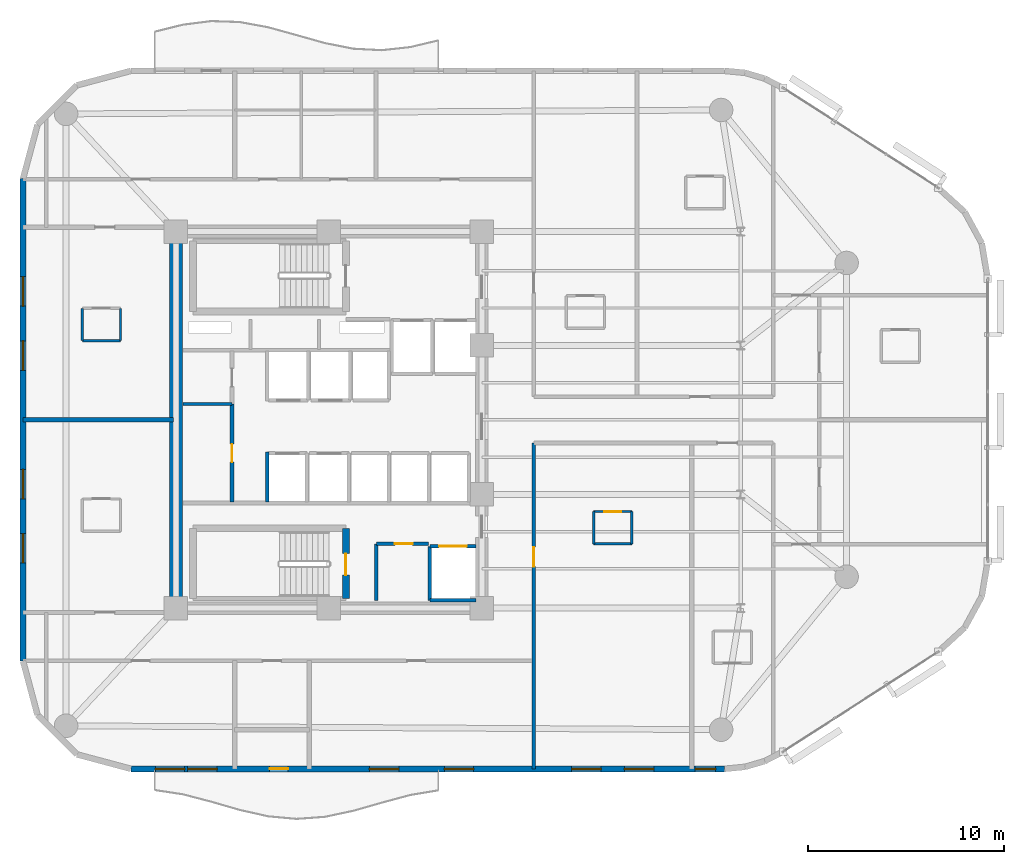
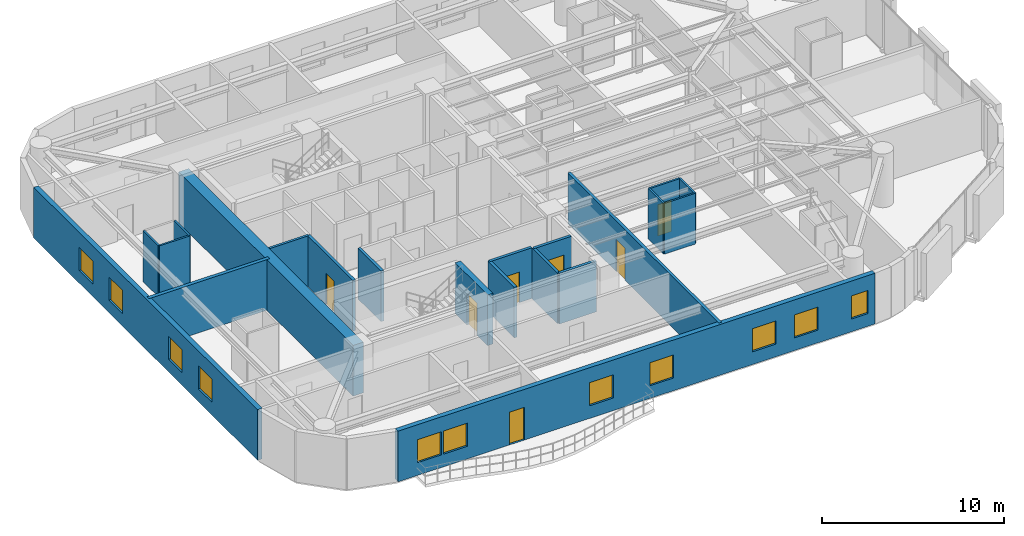
# One storey, part 10 of 15: 21 walls, 11 windows, 7 doors, 18 openings.
"""IFC4 building model written with IfcOpenShell, lengths in metres."""

from ifc_helpers import new_model, si_unit, direction, frame, frame_2d, origin, place, context, subcontext, project, spatial, rectangle, extrude, material, layer, layer_set, type_object, element, fill, save


model = new_model("IFC4")

# Units and contexts
model_context = context("Model", 3, precision=1e-05, world=origin(), true_north=direction((0.0, 1.0)))
body_context = subcontext(model_context, "Body", "Model", "MODEL_VIEW")
ifc_project = project(units=[si_unit("LENGTHUNIT", "METRE"), si_unit("AREAUNIT", "SQUARE_METRE"), si_unit("VOLUMEUNIT", "CUBIC_METRE"), si_unit("PLANEANGLEUNIT", "RADIAN"), si_unit("MASSUNIT", "GRAM", prefix="KILO")], contexts=[model_context])

# Site, building, storey
site_placement = place(None, origin())
site = spatial("IfcSite", under=ifc_project, at=site_placement, CompositionType="ELEMENT")
building_placement = place(site_placement, origin())
building = spatial("IfcBuilding", under=site, at=building_placement, Name="An Khanh Terracotta Commons", CompositionType="ELEMENT")
storey_placement = place(building_placement, frame((0.0, 0.0, 143.800048828125)))
storey = spatial("IfcBuildingStorey", under=building, at=storey_placement, Name="L37", CompositionType="ELEMENT", Elevation=143.800048828125)

# Wall
ifc_material_1 = material(Name="Concrete C60/75", Category="concrete")
ifc_layer_1 = layer(ifc_material_1, 0.64990234375, Name="Concrete C60/75")
ifc_layer_set_1 = layer_set([ifc_layer_1], Name="Concrete C60/75")
wall_type_1 = type_object("IfcWallType", Name="WALL-CORE-650", PredefinedType="SHEAR", material=ifc_layer_set_1)
wall_1_placement = place(storey_placement, frame((21.60009765625, 14.39990234375, 0.0), z_axis=(0.0, 0.0, 1.0), x_axis=(0.0, 1.0, 0.0)))
element("IfcWall", 1, at=wall_1_placement, inside=storey, type_object=wall_type_1, Name="L37 Core Wall CWALL-L37-W", PredefinedType="SHEAR", context=body_context, shape_type="SweptSolid", body=[
    extrude(rectangle(XDim=19.2001953125, YDim=0.64990234375, at=frame_2d((9.60009765625, 0.0))), origin(), (0.0, 0.0, 1.0), 3.39990234375),
])

# Wall, opening, door
ifc_material_2 = material(Name="Fire-Rated Gypsum Board on Steel Stud", Category="steel")
ifc_layer_2 = layer(ifc_material_2, 0.179931640625, Name="Fire-Rated Gypsum Board on Steel Stud")
ifc_layer_set_2 = layer_set([ifc_layer_2], Name="Fire-Rated Gypsum Board on Steel Stud")
wall_type_2 = type_object("IfcWallType", Name="WALL-CORR-180", PredefinedType="PARTITIONING", material=ifc_layer_set_2)
wall_2_placement = place(storey_placement, frame((31.820068359375, 17.679931640625, 0.0), z_axis=(0.0, 0.0, 1.0), x_axis=(1.0, 0.0, 0.0)))
wall_2 = element("IfcWall", 2, at=wall_2_placement, inside=storey, type_object=wall_type_2, Name="L37 Core Wall SSVCW-L37-N", PredefinedType="PARTITIONING", context=body_context, shape_type="SweptSolid", body=[
    extrude(rectangle(XDim=2.659912109375, YDim=0.179931640625, at=frame_2d((1.330078125, 0.0))), origin(), (0.0, 0.0, 1.0), 3.39990234375),
])
opening_1_placement = place(wall_2_placement, frame((0.949951171875, 0.0, 0.0)))
opening_1 = element("IfcOpeningElement", 3, at=opening_1_placement, cuts=wall_2, Name="Opening D-SV", PredefinedType="OPENING", context=body_context, shape_type="SweptSolid", body=[
    extrude(rectangle(XDim=0.89990234375, YDim=2.050048828125, at=frame_2d((0.449951171875, 1.02490234375))), frame((0.0, 0.099853515625, 0.0), z_axis=(0.0, -1.0, 0.0), x_axis=(1.0, 0.0, 0.0)), (0.0, 0.0, 1.0), 0.199951171875),
])
ifc_material_3 = material(Name="Fire-Rated Powder-Coated Steel Door", Category="steel")
door_type_1 = type_object("IfcDoorType", Name="DOOR-SERV-900", OperationType="NOTDEFINED", PredefinedType="DOOR", material=ifc_material_3)
door_1_placement = place(opening_1_placement, origin())
door_1 = element("IfcDoor", 4, at=door_1_placement, inside=storey, type_object=door_type_1, Name="L37 Core Housekeeping Store Door", OperationType="SINGLE_SWING_RIGHT", OverallHeight=2.050048828125, OverallWidth=0.89990234375, PredefinedType="DOOR", context=body_context, shape_type="SweptSolid", body=[
    extrude(rectangle(XDim=0.89990234375, YDim=2.050048828125, at=frame_2d((0.449951171875, 1.02490234375))), frame((0.0, 0.02490234375, 0.0), z_axis=(0.0, -1.0, 0.0), x_axis=(1.0, 0.0, 0.0)), (0.0, 0.0, 1.0), 0.050048828125),
])
fill(opening_1, door_1)

# Wall
wall_3_placement = place(storey_placement, frame((31.820068359375, 14.800048828125, 0.0), z_axis=(0.0, 0.0, 1.0), x_axis=(0.0, 1.0, 0.0)))
element("IfcWall", 5, at=wall_3_placement, inside=storey, type_object=wall_type_2, Name="L37 Core Wall SSVCW-L37-W", PredefinedType="PARTITIONING", context=body_context, shape_type="SweptSolid", body=[
    extrude(rectangle(XDim=2.8798828125, YDim=0.179931640625, at=frame_2d((1.43994140625, 0.0))), origin(), (0.0, 0.0, 1.0), 3.39990234375),
])

# Wall, opening, door
wall_4_placement = place(storey_placement, frame((34.550048828125, 17.550048828125, 0.0), z_axis=(0.0, 0.0, 1.0), x_axis=(1.0, 0.0, 0.0)))
wall_4 = element("IfcWall", 6, at=wall_4_placement, inside=storey, type_object=wall_type_2, Name="L37 Core Wall LSH-L37-SVL-01-N", PredefinedType="PARTITIONING", context=body_context, shape_type="SweptSolid", body=[
    extrude(rectangle(XDim=2.349853515625, YDim=0.179931640625, at=frame_2d((1.1748046875, 0.0))), origin(), (0.0, 0.0, 1.0), 3.39990234375),
])
opening_2_placement = place(wall_4_placement, frame((0.47509765625, 0.0, 0.0)))
opening_2 = element("IfcOpeningElement", 7, at=opening_2_placement, cuts=wall_4, Name="Opening LD-SVL-01-L37", PredefinedType="OPENING", context=body_context, shape_type="SweptSolid", body=[
    extrude(rectangle(XDim=1.39990234375, YDim=2.300048828125, at=frame_2d((0.699951171875, 1.14990234375))), frame((0.0, 0.099853515625, 0.0), z_axis=(0.0, -1.0, 0.0), x_axis=(1.0, 0.0, 0.0)), (0.0, 0.0, 1.0), 0.199951171875),
])
ifc_material_4 = material(Name="Heavy-Duty Stainless Steel Goods Landing Door", Category="steel")
door_type_2 = type_object("IfcDoorType", Name="DOOR-LD-SVL-1400", OperationType="NOTDEFINED", PredefinedType="DOOR", material=ifc_material_4)
door_2_placement = place(opening_2_placement, origin())
door_2 = element("IfcDoor", 8, at=door_2_placement, inside=storey, type_object=door_type_2, Name="L37 Lift SVL-01 Sliding Landing Door", OperationType="DOUBLE_DOOR_SLIDING", OverallHeight=2.300048828125, OverallWidth=1.39990234375, PredefinedType="DOOR", context=body_context, shape_type="SweptSolid", body=[
    extrude(rectangle(XDim=1.39990234375, YDim=2.300048828125, at=frame_2d((0.699951171875, 1.14990234375))), frame((0.0, 0.02490234375, 0.0), z_axis=(0.0, -1.0, 0.0), x_axis=(1.0, 0.0, 0.0)), (0.0, 0.0, 1.0), 0.050048828125),
])
fill(opening_2, door_2)

# Walls
wall_5_placement = place(storey_placement, frame((36.89990234375, 14.800048828125, 0.0), z_axis=(0.0, 0.0, 1.0), x_axis=(-1.0, 0.0, 0.0)))
element("IfcWall", 9, at=wall_5_placement, inside=storey, type_object=wall_type_2, Name="L37 Core Wall LSH-L37-SVL-01-S", PredefinedType="PARTITIONING", context=body_context, shape_type="SweptSolid", body=[
    extrude(rectangle(XDim=2.349853515625, YDim=0.179931640625, at=frame_2d((1.1748046875, 0.0))), origin(), (0.0, 0.0, 1.0), 3.39990234375),
])
wall_6_placement = place(storey_placement, frame((34.550048828125, 17.550048828125, 0.0), z_axis=(0.0, 0.0, 1.0), x_axis=(0.0, -1.0, 0.0)))
element("IfcWall", 10, at=wall_6_placement, inside=storey, type_object=wall_type_2, Name="L37 Core Wall LSH-L37-SVL-01-W", PredefinedType="PARTITIONING", context=body_context, shape_type="SweptSolid", body=[
    extrude(rectangle(XDim=2.75, YDim=0.179931640625, at=frame_2d((1.375, 0.0))), origin(), (0.0, 0.0, 1.0), 3.39990234375),
])

# Wall, opening, door
wall_7_placement = place(storey_placement, frame((24.4599609375, 19.800048828125, 0.0), z_axis=(0.0, 0.0, 1.0), x_axis=(0.0, 1.0, 0.0)))
wall_7 = element("IfcWall", 11, at=wall_7_placement, inside=storey, type_object=wall_type_2, Name="L37 Core Wall RECW-L37-E2", PredefinedType="PARTITIONING", context=body_context, shape_type="SweptSolid", body=[
    extrude(rectangle(XDim=5.0, YDim=0.179931640625, at=frame_2d((2.5, 0.0))), origin(), (0.0, 0.0, 1.0), 3.39990234375),
])
opening_3_placement = place(wall_7_placement, frame((2.0400390625, 0.0, 0.0)))
opening_3 = element("IfcOpeningElement", 12, at=opening_3_placement, cuts=wall_7, Name="Opening D-RM", PredefinedType="OPENING", context=body_context, shape_type="SweptSolid", body=[
    extrude(rectangle(XDim=0.919921875, YDim=2.10009765625, at=frame_2d((0.4599609375, 1.050048828125))), frame((0.0, 0.099853515625, 0.0), z_axis=(0.0, -1.0, 0.0), x_axis=(1.0, 0.0, 0.0)), (0.0, 0.0, 1.0), 0.199951171875),
])
ifc_material_5 = material(Name="Engineered Hardwood Timber Leaf", Category="wood")
door_type_3 = type_object("IfcDoorType", Name="DOOR-INT-920", OperationType="NOTDEFINED", PredefinedType="DOOR", material=ifc_material_5)
door_3_placement = place(opening_3_placement, origin())
door_3 = element("IfcDoor", 13, at=door_3_placement, inside=storey, type_object=door_type_3, Name="L37 Luggage Locker Room Door", OperationType="SINGLE_SWING_RIGHT", OverallHeight=2.10009765625, OverallWidth=0.919921875, PredefinedType="DOOR", context=body_context, shape_type="SweptSolid", body=[
    extrude(rectangle(XDim=0.919921875, YDim=2.10009765625, at=frame_2d((0.4599609375, 1.050048828125))), frame((0.0, 0.02490234375, 0.0), z_axis=(0.0, -1.0, 0.0), x_axis=(1.0, 0.0, 0.0)), (0.0, 0.0, 1.0), 0.050048828125),
])
fill(opening_3, door_3)

# Wall
wall_8_placement = place(storey_placement, frame((26.25, 19.800048828125, 0.0), z_axis=(0.0, 0.0, 1.0), x_axis=(0.0, 1.0, 0.0)))
element("IfcWall", 14, at=wall_8_placement, inside=storey, type_object=wall_type_2, Name="L37 Core Wall RECW-L37-BE2", PredefinedType="PARTITIONING", context=body_context, shape_type="SweptSolid", body=[
    extrude(rectangle(XDim=2.550048828125, YDim=0.179931640625, at=frame_2d((1.27490234375, 0.0))), origin(), (0.0, 0.0, 1.0), 3.39990234375),
])

# Wall, opening, door
wall_9_placement = place(storey_placement, frame((39.85009765625, 6.199951171875, 0.0), z_axis=(0.0, 0.0, 1.0), x_axis=(0.0, 1.0, 0.0)))
wall_9 = element("IfcWall", 15, at=wall_9_placement, inside=storey, type_object=wall_type_2, Name="L37 Interior Partition IW-L37-E020", PredefinedType="PARTITIONING", context=body_context, shape_type="SweptSolid", body=[
    extrude(rectangle(XDim=16.6201171875, YDim=0.179931640625, at=frame_2d((8.31005859375, 0.0))), origin(), (0.0, 0.0, 1.0), 3.39990234375),
])
opening_4_placement = place(wall_9_placement, frame((10.31005859375, 0.0, 0.0)))
opening_4 = element("IfcOpeningElement", 16, at=opening_4_placement, cuts=wall_9, Name="Opening D-UN", PredefinedType="OPENING", context=body_context, shape_type="SweptSolid", body=[
    extrude(rectangle(XDim=1.0, YDim=2.14990234375, at=frame_2d((0.5, 1.074951171875))), frame((0.0, 0.099853515625, 0.0), z_axis=(0.0, -1.0, 0.0), x_axis=(1.0, 0.0, 0.0)), (0.0, 0.0, 1.0), 0.199951171875),
])
ifc_material_6 = material(Name="Solid-Core Hardwood Acoustic Fire Door", Category="wood")
door_type_4 = type_object("IfcDoorType", Name="DOOR-UNIT-1000", OperationType="NOTDEFINED", PredefinedType="DOOR", material=ifc_material_6)
door_4_placement = place(opening_4_placement, origin())
door_4 = element("IfcDoor", 17, at=door_4_placement, inside=storey, type_object=door_type_4, Name="L37 SB1 Kitchenette and Studio Apartment Door", OperationType="SINGLE_SWING_LEFT", OverallHeight=2.14990234375, OverallWidth=1.0, PredefinedType="DOOR", context=body_context, shape_type="SweptSolid", body=[
    extrude(rectangle(XDim=1.0, YDim=2.14990234375, at=frame_2d((0.5, 1.074951171875))), frame((0.0, 0.02490234375, 0.0), z_axis=(0.0, -1.0, 0.0), x_axis=(1.0, 0.0, 0.0)), (0.0, 0.0, 1.0), 0.050048828125),
])
fill(opening_4, door_4)

# Wall, openings, door, windows
ifc_material_7 = material(Name="Precast concrete C40/50", Category="concrete")
ifc_layer_3 = layer(ifc_material_7, 0.300048828125, Name="Precast concrete C40/50")
ifc_layer_set_3 = layer_set([ifc_layer_3], Name="Precast concrete C40/50")
wall_type_3 = type_object("IfcWallType", Name="WALL-EXT-300", PredefinedType="SOLIDWALL", material=ifc_layer_set_3)
wall_10_placement = place(storey_placement, frame((19.300048828125, 6.199951171875, 0.0), z_axis=(0.0, 0.0, 1.0), x_axis=(1.0, 0.0, 0.0)))
wall_10 = element("IfcWall", 18, at=wall_10_placement, inside=storey, type_object=wall_type_3, Name="L37 Insulated Terracotta Exterior Wall 4", PredefinedType="SOLIDWALL", context=body_context, shape_type="SweptSolid", body=[
    extrude(rectangle(XDim=30.281982421875, YDim=0.300048828125, at=frame_2d((15.14111328125, 0.0))), origin(), (0.0, 0.0, 1.0), 3.39990234375),
])
opening_5_placement = place(wall_10_placement, frame((7.074951171875, 0.0, 0.0)))
opening_5 = element("IfcOpeningElement", 19, at=opening_5_placement, cuts=wall_10, Name="Opening D-BAL", PredefinedType="OPENING", context=body_context, shape_type="SweptSolid", body=[
    extrude(rectangle(XDim=0.949951171875, YDim=2.199951171875, at=frame_2d((0.47509765625, 1.10009765625))), frame((0.0, 0.159912109375, 0.0), z_axis=(0.0, -1.0, 0.0), x_axis=(1.0, 0.0, 0.0)), (0.0, 0.0, 1.0), 0.320068359375),
])
opening_6_placement = place(wall_10_placement, frame((1.25, 0.0, 0.85009765625)))
opening_6 = element("IfcOpeningElement", 20, at=opening_6_placement, cuts=wall_10, Name="Opening W-03", PredefinedType="OPENING", context=body_context, shape_type="SweptSolid", body=[
    extrude(rectangle(XDim=1.5, YDim=1.550048828125, at=frame_2d((0.75, 0.77490234375))), frame((0.0, 0.159912109375, 0.0), z_axis=(0.0, -1.0, 0.0), x_axis=(1.0, 0.0, 0.0)), (0.0, 0.0, 1.0), 0.320068359375),
])
opening_7_placement = place(wall_10_placement, frame((2.89990234375, 0.0, 0.85009765625)))
opening_7 = element("IfcOpeningElement", 21, at=opening_7_placement, cuts=wall_10, Name="Opening W-03", PredefinedType="OPENING", context=body_context, shape_type="SweptSolid", body=[
    extrude(rectangle(XDim=1.5, YDim=1.550048828125, at=frame_2d((0.75, 0.77490234375))), frame((0.0, 0.159912109375, 0.0), z_axis=(0.0, -1.0, 0.0), x_axis=(1.0, 0.0, 0.0)), (0.0, 0.0, 1.0), 0.320068359375),
])
opening_8_placement = place(wall_10_placement, frame((12.1669921875, 0.0, 0.85009765625)))
opening_8 = element("IfcOpeningElement", 22, at=opening_8_placement, cuts=wall_10, Name="Opening W-03", PredefinedType="OPENING", context=body_context, shape_type="SweptSolid", body=[
    extrude(rectangle(XDim=1.5, YDim=1.550048828125, at=frame_2d((0.75, 0.77490234375))), frame((0.0, 0.159912109375, 0.0), z_axis=(0.0, -1.0, 0.0), x_axis=(1.0, 0.0, 0.0)), (0.0, 0.0, 1.0), 0.320068359375),
])
opening_9_placement = place(wall_10_placement, frame((15.98291015625, 0.0, 0.85009765625)))
opening_9 = element("IfcOpeningElement", 23, at=opening_9_placement, cuts=wall_10, Name="Opening W-03", PredefinedType="OPENING", context=body_context, shape_type="SweptSolid", body=[
    extrude(rectangle(XDim=1.5, YDim=1.550048828125, at=frame_2d((0.75, 0.77490234375))), frame((0.0, 0.159912109375, 0.0), z_axis=(0.0, -1.0, 0.0), x_axis=(1.0, 0.0, 0.0)), (0.0, 0.0, 1.0), 0.320068359375),
])
opening_10_placement = place(wall_10_placement, frame((22.48388671875, 0.0, 0.85009765625)))
opening_10 = element("IfcOpeningElement", 24, at=opening_10_placement, cuts=wall_10, Name="Opening W-03", PredefinedType="OPENING", context=body_context, shape_type="SweptSolid", body=[
    extrude(rectangle(XDim=1.5, YDim=1.550048828125, at=frame_2d((0.75, 0.77490234375))), frame((0.0, 0.159912109375, 0.0), z_axis=(0.0, -1.0, 0.0), x_axis=(1.0, 0.0, 0.0)), (0.0, 0.0, 1.0), 0.320068359375),
])
opening_11_placement = place(wall_10_placement, frame((25.16796875, 0.0, 0.85009765625)))
opening_11 = element("IfcOpeningElement", 25, at=opening_11_placement, cuts=wall_10, Name="Opening W-03", PredefinedType="OPENING", context=body_context, shape_type="SweptSolid", body=[
    extrude(rectangle(XDim=1.5, YDim=1.550048828125, at=frame_2d((0.75, 0.77490234375))), frame((0.0, 0.159912109375, 0.0), z_axis=(0.0, -1.0, 0.0), x_axis=(1.0, 0.0, 0.0)), (0.0, 0.0, 1.0), 0.320068359375),
])
opening_12_placement = place(wall_10_placement, frame((28.77294921875, 0.0, 0.85009765625)))
opening_12 = element("IfcOpeningElement", 26, at=opening_12_placement, cuts=wall_10, Name="Opening W-06", PredefinedType="OPENING", context=body_context, shape_type="SweptSolid", body=[
    extrude(rectangle(XDim=1.050048828125, YDim=1.550048828125, at=frame_2d((0.52490234375, 0.77490234375))), frame((0.0, 0.159912109375, 0.0), z_axis=(0.0, -1.0, 0.0), x_axis=(1.0, 0.0, 0.0)), (0.0, 0.0, 1.0), 0.320068359375),
])
ifc_material_8 = material(Name="Thermally Broken Aluminium and Low-E Glass", Category="aluminium")
door_type_5 = type_object("IfcDoorType", Name="DOOR-BALC-950", OperationType="NOTDEFINED", PredefinedType="DOOR", material=ifc_material_8)
door_5_placement = place(opening_5_placement, origin())
door_5 = element("IfcDoor", 27, at=door_5_placement, inside=storey, type_object=door_type_5, Name="L37 S Wave Balcony Glazed Door", OperationType="SINGLE_SWING_LEFT", OverallHeight=2.199951171875, OverallWidth=0.949951171875, PredefinedType="DOOR", context=body_context, shape_type="SweptSolid", body=[
    extrude(rectangle(XDim=0.949951171875, YDim=2.199951171875, at=frame_2d((0.47509765625, 1.10009765625))), frame((0.0, 0.02490234375, 0.0), z_axis=(0.0, -1.0, 0.0), x_axis=(1.0, 0.0, 0.0)), (0.0, 0.0, 1.0), 0.050048828125),
])
fill(opening_5, door_5)
window_type_1 = type_object("IfcWindowType", Name="WIN-COR-1050x1550", PartitioningType="SINGLE_PANEL", PredefinedType="WINDOW", material=ifc_material_8)
window_1_placement = place(opening_12_placement, origin())
window_1 = element("IfcWindow", 28, at=window_1_placement, inside=storey, type_object=window_type_1, Name="L37 L37-SB2 Dwelling Casement Window", OverallHeight=1.550048828125, OverallWidth=1.050048828125, PartitioningType="SINGLE_PANEL", PredefinedType="WINDOW", context=body_context, shape_type="SweptSolid", body=[
    extrude(rectangle(XDim=1.050048828125, YDim=1.550048828125, at=frame_2d((0.52490234375, 0.77490234375))), frame((0.0, 0.030029296875, 0.0), z_axis=(0.0, -1.0, 0.0), x_axis=(1.0, 0.0, 0.0)), (0.0, 0.0, 1.0), 0.06005859375),
])
fill(opening_12, window_1)
window_type_2 = type_object("IfcWindowType", Name="WIN-Z3-1500x1550", PartitioningType="DOUBLE_PANEL_VERTICAL", PredefinedType="WINDOW", material=ifc_material_8)
window_2_placement = place(opening_6_placement, origin())
window_2 = element("IfcWindow", 29, at=window_2_placement, inside=storey, type_object=window_type_2, Name="L37 Operable Casement Window 4.1", OverallHeight=1.550048828125, OverallWidth=1.5, PartitioningType="DOUBLE_PANEL_VERTICAL", PredefinedType="WINDOW", context=body_context, shape_type="SweptSolid", body=[
    extrude(rectangle(XDim=1.5, YDim=1.550048828125, at=frame_2d((0.75, 0.77490234375))), frame((0.0, 0.030029296875, 0.0), z_axis=(0.0, -1.0, 0.0), x_axis=(1.0, 0.0, 0.0)), (0.0, 0.0, 1.0), 0.06005859375),
])
fill(opening_6, window_2)
window_3_placement = place(opening_7_placement, origin())
window_3 = element("IfcWindow", 30, at=window_3_placement, inside=storey, type_object=window_type_2, Name="L37 Operable Casement Window 4.2", OverallHeight=1.550048828125, OverallWidth=1.5, PartitioningType="DOUBLE_PANEL_VERTICAL", PredefinedType="WINDOW", context=body_context, shape_type="SweptSolid", body=[
    extrude(rectangle(XDim=1.5, YDim=1.550048828125, at=frame_2d((0.75, 0.77490234375))), frame((0.0, 0.030029296875, 0.0), z_axis=(0.0, -1.0, 0.0), x_axis=(1.0, 0.0, 0.0)), (0.0, 0.0, 1.0), 0.06005859375),
])
fill(opening_7, window_3)
window_4_placement = place(opening_8_placement, origin())
window_4 = element("IfcWindow", 31, at=window_4_placement, inside=storey, type_object=window_type_2, Name="L37 Operable Casement Window 4.3", OverallHeight=1.550048828125, OverallWidth=1.5, PartitioningType="DOUBLE_PANEL_VERTICAL", PredefinedType="WINDOW", context=body_context, shape_type="SweptSolid", body=[
    extrude(rectangle(XDim=1.5, YDim=1.550048828125, at=frame_2d((0.75, 0.77490234375))), frame((0.0, 0.030029296875, 0.0), z_axis=(0.0, -1.0, 0.0), x_axis=(1.0, 0.0, 0.0)), (0.0, 0.0, 1.0), 0.06005859375),
])
fill(opening_8, window_4)
window_5_placement = place(opening_9_placement, origin())
window_5 = element("IfcWindow", 32, at=window_5_placement, inside=storey, type_object=window_type_2, Name="L37 Operable Casement Window 4.4", OverallHeight=1.550048828125, OverallWidth=1.5, PartitioningType="DOUBLE_PANEL_VERTICAL", PredefinedType="WINDOW", context=body_context, shape_type="SweptSolid", body=[
    extrude(rectangle(XDim=1.5, YDim=1.550048828125, at=frame_2d((0.75, 0.77490234375))), frame((0.0, 0.030029296875, 0.0), z_axis=(0.0, -1.0, 0.0), x_axis=(1.0, 0.0, 0.0)), (0.0, 0.0, 1.0), 0.06005859375),
])
fill(opening_9, window_5)
window_6_placement = place(opening_10_placement, origin())
window_6 = element("IfcWindow", 33, at=window_6_placement, inside=storey, type_object=window_type_2, Name="L37 Operable Casement Window 4.5", OverallHeight=1.550048828125, OverallWidth=1.5, PartitioningType="DOUBLE_PANEL_VERTICAL", PredefinedType="WINDOW", context=body_context, shape_type="SweptSolid", body=[
    extrude(rectangle(XDim=1.5, YDim=1.550048828125, at=frame_2d((0.75, 0.77490234375))), frame((0.0, 0.030029296875, 0.0), z_axis=(0.0, -1.0, 0.0), x_axis=(1.0, 0.0, 0.0)), (0.0, 0.0, 1.0), 0.06005859375),
])
fill(opening_10, window_6)
window_7_placement = place(opening_11_placement, origin())
window_7 = element("IfcWindow", 34, at=window_7_placement, inside=storey, type_object=window_type_2, Name="L37 Operable Casement Window 4.6", OverallHeight=1.550048828125, OverallWidth=1.5, PartitioningType="DOUBLE_PANEL_VERTICAL", PredefinedType="WINDOW", context=body_context, shape_type="SweptSolid", body=[
    extrude(rectangle(XDim=1.5, YDim=1.550048828125, at=frame_2d((0.75, 0.77490234375))), frame((0.0, 0.030029296875, 0.0), z_axis=(0.0, -1.0, 0.0), x_axis=(1.0, 0.0, 0.0)), (0.0, 0.0, 1.0), 0.06005859375),
])
fill(opening_11, window_7)

# Wall, openings, windows
wall_11_placement = place(storey_placement, frame((13.800048828125, 36.300048828125, 0.0), z_axis=(0.0, 0.0, 1.0), x_axis=(0.0, -1.0, 0.0)))
wall_11 = element("IfcWall", 35, at=wall_11_placement, inside=storey, type_object=wall_type_3, Name="L37 Insulated Terracotta Exterior Wall 24", PredefinedType="SOLIDWALL", context=body_context, shape_type="SweptSolid", body=[
    extrude(rectangle(XDim=24.60009765625, YDim=0.300048828125, at=frame_2d((12.300048828125, 0.0))), origin(), (0.0, 0.0, 1.0), 3.39990234375),
])
opening_13_placement = place(wall_11_placement, frame((5.0029296875, 0.0, 0.85009765625)))
opening_13 = element("IfcOpeningElement", 36, at=opening_13_placement, cuts=wall_11, Name="Opening W-03", PredefinedType="OPENING", context=body_context, shape_type="SweptSolid", body=[
    extrude(rectangle(XDim=1.5, YDim=1.550048828125, at=frame_2d((0.75, 0.77490234375))), frame((0.0, 0.159912109375, 0.0), z_axis=(0.0, -1.0, 0.0), x_axis=(1.0, 0.0, 0.0)), (0.0, 0.0, 1.0), 0.320068359375),
])
opening_14_placement = place(wall_11_placement, frame((8.277099609375, 0.0, 0.85009765625)))
opening_14 = element("IfcOpeningElement", 37, at=opening_14_placement, cuts=wall_11, Name="Opening W-03", PredefinedType="OPENING", context=body_context, shape_type="SweptSolid", body=[
    extrude(rectangle(XDim=1.5, YDim=1.550048828125, at=frame_2d((0.75, 0.77490234375))), frame((0.0, 0.159912109375, 0.0), z_axis=(0.0, -1.0, 0.0), x_axis=(1.0, 0.0, 0.0)), (0.0, 0.0, 1.0), 0.320068359375),
])
opening_15_placement = place(wall_11_placement, frame((14.822998046875, 0.0, 0.85009765625)))
opening_15 = element("IfcOpeningElement", 38, at=opening_15_placement, cuts=wall_11, Name="Opening W-03", PredefinedType="OPENING", context=body_context, shape_type="SweptSolid", body=[
    extrude(rectangle(XDim=1.5, YDim=1.550048828125, at=frame_2d((0.75, 0.77490234375))), frame((0.0, 0.159912109375, 0.0), z_axis=(0.0, -1.0, 0.0), x_axis=(1.0, 0.0, 0.0)), (0.0, 0.0, 1.0), 0.320068359375),
])
opening_16_placement = place(wall_11_placement, frame((18.096923828125, 0.0, 0.85009765625)))
opening_16 = element("IfcOpeningElement", 39, at=opening_16_placement, cuts=wall_11, Name="Opening W-03", PredefinedType="OPENING", context=body_context, shape_type="SweptSolid", body=[
    extrude(rectangle(XDim=1.5, YDim=1.550048828125, at=frame_2d((0.75, 0.77490234375))), frame((0.0, 0.159912109375, 0.0), z_axis=(0.0, -1.0, 0.0), x_axis=(1.0, 0.0, 0.0)), (0.0, 0.0, 1.0), 0.320068359375),
])
window_8_placement = place(opening_13_placement, origin())
window_8 = element("IfcWindow", 40, at=window_8_placement, inside=storey, type_object=window_type_2, Name="L37 Operable Casement Window 24.1", OverallHeight=1.550048828125, OverallWidth=1.5, PartitioningType="DOUBLE_PANEL_VERTICAL", PredefinedType="WINDOW", context=body_context, shape_type="SweptSolid", body=[
    extrude(rectangle(XDim=1.5, YDim=1.550048828125, at=frame_2d((0.75, 0.77490234375))), frame((0.0, 0.030029296875, 0.0), z_axis=(0.0, -1.0, 0.0), x_axis=(1.0, 0.0, 0.0)), (0.0, 0.0, 1.0), 0.06005859375),
])
fill(opening_13, window_8)
window_9_placement = place(opening_14_placement, origin())
window_9 = element("IfcWindow", 41, at=window_9_placement, inside=storey, type_object=window_type_2, Name="L37 Operable Casement Window 24.2", OverallHeight=1.550048828125, OverallWidth=1.5, PartitioningType="DOUBLE_PANEL_VERTICAL", PredefinedType="WINDOW", context=body_context, shape_type="SweptSolid", body=[
    extrude(rectangle(XDim=1.5, YDim=1.550048828125, at=frame_2d((0.75, 0.77490234375))), frame((0.0, 0.030029296875, 0.0), z_axis=(0.0, -1.0, 0.0), x_axis=(1.0, 0.0, 0.0)), (0.0, 0.0, 1.0), 0.06005859375),
])
fill(opening_14, window_9)
window_10_placement = place(opening_15_placement, origin())
window_10 = element("IfcWindow", 42, at=window_10_placement, inside=storey, type_object=window_type_2, Name="L37 Operable Casement Window 24.3", OverallHeight=1.550048828125, OverallWidth=1.5, PartitioningType="DOUBLE_PANEL_VERTICAL", PredefinedType="WINDOW", context=body_context, shape_type="SweptSolid", body=[
    extrude(rectangle(XDim=1.5, YDim=1.550048828125, at=frame_2d((0.75, 0.77490234375))), frame((0.0, 0.030029296875, 0.0), z_axis=(0.0, -1.0, 0.0), x_axis=(1.0, 0.0, 0.0)), (0.0, 0.0, 1.0), 0.06005859375),
])
fill(opening_15, window_10)
window_11_placement = place(opening_16_placement, origin())
window_11 = element("IfcWindow", 43, at=window_11_placement, inside=storey, type_object=window_type_2, Name="L37 Operable Casement Window 24.4", OverallHeight=1.550048828125, OverallWidth=1.5, PartitioningType="DOUBLE_PANEL_VERTICAL", PredefinedType="WINDOW", context=body_context, shape_type="SweptSolid", body=[
    extrude(rectangle(XDim=1.5, YDim=1.550048828125, at=frame_2d((0.75, 0.77490234375))), frame((0.0, 0.030029296875, 0.0), z_axis=(0.0, -1.0, 0.0), x_axis=(1.0, 0.0, 0.0)), (0.0, 0.0, 1.0), 0.06005859375),
])
fill(opening_16, window_11)

# Walls
ifc_material_9 = material(Name="Acoustic Gypsum Board Partition")
ifc_layer_4 = layer(ifc_material_9, 0.14990234375, Name="Acoustic Gypsum Board Partition")
ifc_layer_set_4 = layer_set([ifc_layer_4], Name="Acoustic Gypsum Board Partition")
wall_type_4 = type_object("IfcWallType", Name="WALL-PART-150", PredefinedType="PARTITIONING", material=ifc_layer_set_4)
wall_12_placement = place(storey_placement, frame((21.949951171875, 24.800048828125, 0.0), z_axis=(0.0, 0.0, 1.0), x_axis=(1.0, 0.0, 0.0)))
element("IfcWall", 44, at=wall_12_placement, inside=storey, type_object=wall_type_4, Name="L37 Core Wall RECW-L37-M", PredefinedType="PARTITIONING", context=body_context, shape_type="SweptSolid", body=[
    extrude(rectangle(XDim=2.510009765625, YDim=0.14990234375, at=frame_2d((1.2548828125, 0.0))), origin(), (0.0, 0.0, 1.0), 3.39990234375),
])
ifc_material_10 = material(Name="Acoustic Double-Stud Gypsum and Mineral Wool")
ifc_layer_5 = layer(ifc_material_10, 0.219970703125, Name="Acoustic Double-Stud Gypsum and Mineral Wool")
ifc_layer_set_5 = layer_set([ifc_layer_5], Name="Acoustic Double-Stud Gypsum and Mineral Wool")
wall_type_5 = type_object("IfcWallType", Name="WALL-PARTY-220", PredefinedType="PARTITIONING", material=ifc_layer_set_5)
wall_13_placement = place(storey_placement, frame((13.800048828125, 24.0, 0.0), z_axis=(0.0, 0.0, 1.0), x_axis=(1.0, 0.0, 0.0)))
element("IfcWall", 45, at=wall_13_placement, inside=storey, type_object=wall_type_5, Name="L37 Interior Partition IW-L37-E006", PredefinedType="PARTITIONING", context=body_context, shape_type="SweptSolid", body=[
    extrude(rectangle(XDim=7.679931640625, YDim=0.219970703125, at=frame_2d((3.83984375, 0.0))), origin(), (0.0, 0.0, 1.0), 3.39990234375),
])

# Wall, opening, door
ifc_material_11 = material(Name="Concrete C50/60", Category="concrete")
ifc_layer_6 = layer(ifc_material_11, 0.35009765625, Name="Concrete C50/60")
ifc_layer_set_6 = layer_set([ifc_layer_6], Name="Concrete C50/60")
wall_type_6 = type_object("IfcWallType", Name="WALL-SHAFT-350", PredefinedType="SOLIDWALL", material=ifc_layer_set_6)
wall_14_placement = place(storey_placement, frame((30.27001953125, 14.889892578125, 0.0), z_axis=(0.0, 0.0, 1.0), x_axis=(0.0, 1.0, 0.0)))
wall_14 = element("IfcWall", 46, at=wall_14_placement, inside=storey, type_object=wall_type_6, Name="L37 Core Wall STW-L37-S-E", PredefinedType="SOLIDWALL", context=body_context, shape_type="SweptSolid", body=[
    extrude(rectangle(XDim=3.580078125, YDim=0.35009765625, at=frame_2d((1.7900390625, 0.0))), origin(), (0.0, 0.0, 1.0), 3.39990234375),
])
opening_17_placement = place(wall_14_placement, frame((1.18994140625, 0.0, 0.0)))
opening_17 = element("IfcOpeningElement", 47, at=opening_17_placement, cuts=wall_14, Name="Opening D-ST", PredefinedType="OPENING", context=body_context, shape_type="SweptSolid", body=[
    extrude(rectangle(XDim=1.10009765625, YDim=2.14990234375, at=frame_2d((0.550048828125, 1.074951171875))), frame((0.0, 0.18505859375, 0.0), z_axis=(0.0, -1.0, 0.0), x_axis=(1.0, 0.0, 0.0)), (0.0, 0.0, 1.0), 0.3701171875),
])
ifc_material_12 = material(Name="Fire-Rated Steel Leaf and Frame", Category="steel")
door_type_6 = type_object("IfcDoorType", Name="DOOR-STAIR-1100", OperationType="NOTDEFINED", PredefinedType="DOOR", material=ifc_material_12)
door_6_placement = place(opening_17_placement, origin())
door_6 = element("IfcDoor", 48, at=door_6_placement, inside=storey, type_object=door_type_6, Name="L37 Stair ST-02 Fire Door", OperationType="SINGLE_SWING_LEFT", OverallHeight=2.14990234375, OverallWidth=1.10009765625, PredefinedType="DOOR", context=body_context, shape_type="SweptSolid", body=[
    extrude(rectangle(XDim=1.10009765625, YDim=2.14990234375, at=frame_2d((0.550048828125, 1.074951171875))), frame((0.0, 0.02490234375, 0.0), z_axis=(0.0, -1.0, 0.0), x_axis=(1.0, 0.0, 0.0)), (0.0, 0.0, 1.0), 0.050048828125),
])
fill(opening_17, door_6)

ifc_material_13 = material(Name="Moisture-Resistant Cement Board Partition")
ifc_layer_7 = layer(ifc_material_13, 0.1201171875, Name="Moisture-Resistant Cement Board Partition")
ifc_layer_set_7 = layer_set([ifc_layer_7], Name="Moisture-Resistant Cement Board Partition")
wall_type_7 = type_object("IfcWallType", Name="WALL-WET-120", PredefinedType="PARTITIONING", material=ifc_layer_set_7)
wall_15_placement = place(storey_placement, frame((42.90087890625, 19.324951171875, 0.0), z_axis=(0.0, 0.0, 1.0), x_axis=(1.0, 0.0, 0.0)))
wall_15 = element("IfcWall", 49, at=wall_15_placement, inside=storey, type_object=wall_type_7, Name="L37 Interior Partition IW-L37-SB1-BN", PredefinedType="PARTITIONING", context=body_context, shape_type="SweptSolid", body=[
    extrude(rectangle(XDim=1.9501953125, YDim=0.1201171875, at=frame_2d((0.97509765625, 0.0))), origin(), (0.0, 0.0, 1.0), 3.39990234375),
])
opening_18_placement = place(wall_15_placement, frame((0.544921875, 0.0, 0.0)))
opening_18 = element("IfcOpeningElement", 50, at=opening_18_placement, cuts=wall_15, Name="Opening D-ENS", PredefinedType="OPENING", context=body_context, shape_type="SweptSolid", body=[
    extrude(rectangle(XDim=0.860107421875, YDim=2.10009765625, at=frame_2d((0.43017578125, 1.050048828125))), frame((0.0, 0.070068359375, 0.0), z_axis=(0.0, -1.0, 0.0), x_axis=(1.0, 0.0, 0.0)), (0.0, 0.0, 1.0), 0.14013671875),
])
ifc_material_14 = material(Name="Moisture-Resistant Hardwood Timber Leaf", Category="wood")
door_type_7 = type_object("IfcDoorType", Name="DOOR-BATH-860", OperationType="NOTDEFINED", PredefinedType="DOOR", material=ifc_material_14)
door_7_placement = place(opening_18_placement, origin())
door_7 = element("IfcDoor", 51, at=door_7_placement, inside=storey, type_object=door_type_7, Name="L37 Studio SB1 En-suite Door", OperationType="SINGLE_SWING_LEFT", OverallHeight=2.10009765625, OverallWidth=0.860107421875, PredefinedType="DOOR", context=body_context, shape_type="SweptSolid", body=[
    extrude(rectangle(XDim=0.860107421875, YDim=2.10009765625, at=frame_2d((0.43017578125, 1.050048828125))), frame((0.0, 0.02490234375, 0.0), z_axis=(0.0, -1.0, 0.0), x_axis=(1.0, 0.0, 0.0)), (0.0, 0.0, 1.0), 0.050048828125),
])
fill(opening_18, door_7)

# Walls
wall_16_placement = place(storey_placement, frame((44.85107421875, 17.675048828125, 0.0), z_axis=(0.0, 0.0, 1.0), x_axis=(-1.0, 0.0, 0.0)))
element("IfcWall", 52, at=wall_16_placement, inside=storey, type_object=wall_type_7, Name="L37 Interior Partition IW-L37-SB1-BS", PredefinedType="PARTITIONING", context=body_context, shape_type="SweptSolid", body=[
    extrude(rectangle(XDim=1.9501953125, YDim=0.1201171875, at=frame_2d((0.97509765625, 0.0))), origin(), (0.0, 0.0, 1.0), 3.39990234375),
])
for number, where, z_axis, x_axis, name in (
    (53, (42.90087890625, 19.324951171875, 0.0), (0.0, 0.0, 1.0), (0.0, -1.0, 0.0), "L37 Interior Partition IW-L37-SB1-BW"),
    (54, (44.85107421875, 17.675048828125, 0.0), (0.0, 0.0, 1.0), (0.0, 1.0, 0.0), "L37 Interior Partition IW-L37-SB1-BE"),
):
    element("IfcWall", number, at=place(storey_placement, frame(where, z_axis=z_axis, x_axis=x_axis)), inside=storey, type_object=wall_type_7, Name=name, PredefinedType="PARTITIONING", context=body_context, shape_type="SweptSolid", body=[
        extrude(rectangle(XDim=1.64990234375, YDim=0.1201171875, at=frame_2d((0.824951171875, 0.0))), origin(), (0.0, 0.0, 1.0), 3.39990234375),
    ])
wall_17_placement = place(storey_placement, frame((18.77490234375, 28.034912109375, 0.0), z_axis=(0.0, 0.0, 1.0), x_axis=(-1.0, 0.0, 0.0)))
element("IfcWall", 55, at=wall_17_placement, inside=storey, type_object=wall_type_7, Name="L37 Interior Partition IW-L37-WW2-BS", PredefinedType="PARTITIONING", context=body_context, shape_type="SweptSolid", body=[
    extrude(rectangle(XDim=1.949951171875, YDim=0.1201171875, at=frame_2d((0.97509765625, 0.0))), origin(), (0.0, 0.0, 1.0), 3.39990234375),
])
for number, where, z_axis, x_axis, name in (
    (56, (16.824951171875, 29.68505859375, 0.0), (0.0, 0.0, 1.0), (0.0, -1.0, 0.0), "L37 Interior Partition IW-L37-WW2-BW"),
    (57, (18.77490234375, 28.034912109375, 0.0), (0.0, 0.0, 1.0), (0.0, 1.0, 0.0), "L37 Interior Partition IW-L37-WW2-BE"),
):
    element("IfcWall", number, at=place(storey_placement, frame(where, z_axis=z_axis, x_axis=x_axis)), inside=storey, type_object=wall_type_7, Name=name, PredefinedType="PARTITIONING", context=body_context, shape_type="SweptSolid", body=[
        extrude(rectangle(XDim=1.650146484375, YDim=0.1201171875, at=frame_2d((0.8251953125, 0.0))), origin(), (0.0, 0.0, 1.0), 3.39990234375),
    ])

save(model, "model.ifc")
